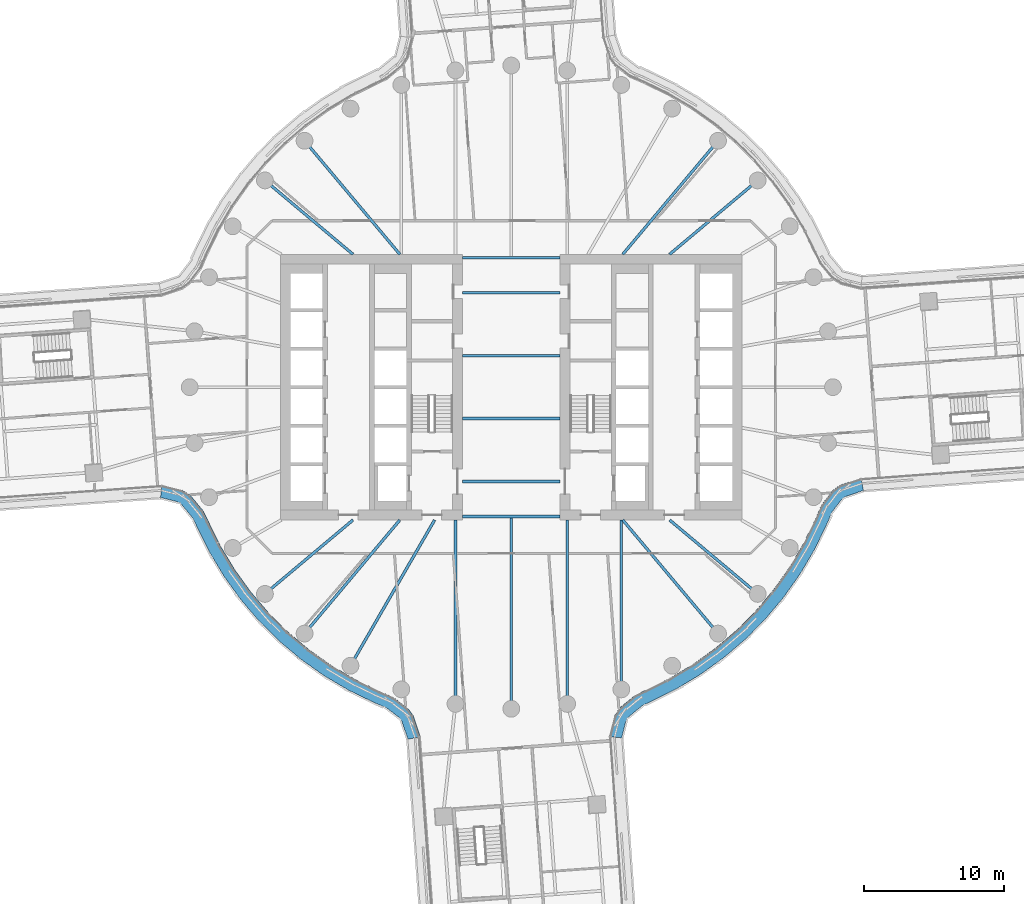
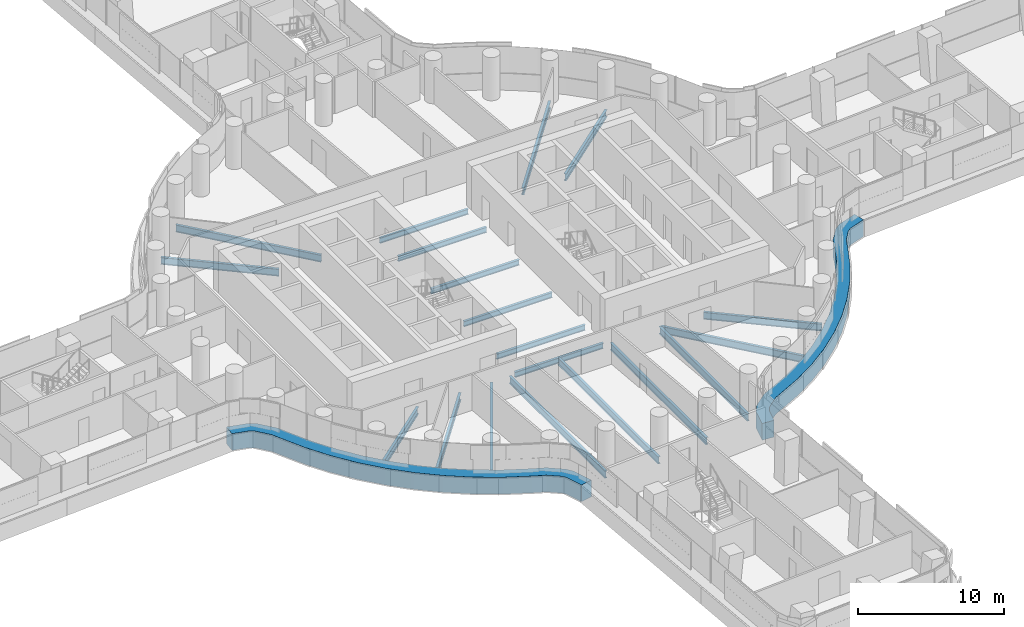
# One storey, part 8 of 31: 19 beams, 2 members, 2 elements without a shape of their own.
"""IFC4 building model written with IfcOpenShell, lengths in metres."""

from ifc_helpers import new_model, si_unit, direction, frame, origin, origin_2d, place, context, subcontext, project, spatial, polyline, i_section, outline, extrude, material, layer, layer_set, material_profile, profile_set, type_object, element, aggregate, save


model = new_model("IFC4")

# Units and contexts
model_context = context("Model", 3, precision=1e-05, world=origin(), true_north=direction((0.0, 1.0)))
body_context = subcontext(model_context, "Body", "Model", "MODEL_VIEW")
ifc_project = project(units=[si_unit("LENGTHUNIT", "METRE"), si_unit("AREAUNIT", "SQUARE_METRE"), si_unit("VOLUMEUNIT", "CUBIC_METRE"), si_unit("PLANEANGLEUNIT", "RADIAN"), si_unit("MASSUNIT", "GRAM", prefix="KILO")], contexts=[model_context])

# Site, building, storey
site_placement = place(None, origin())
site = spatial("IfcSite", under=ifc_project, at=site_placement, CompositionType="ELEMENT")
building_placement = place(site_placement, origin())
building = spatial("IfcBuilding", under=site, at=building_placement, Name="Tamarind Cross Interchange Tower", CompositionType="ELEMENT")
storey_placement = place(building_placement, frame((0.0, 0.0, 49.0)))
storey = spatial("IfcBuildingStorey", under=building, at=storey_placement, Name="L10", CompositionType="ELEMENT", Elevation=49.0)

# Beams
ifc_material_1 = material(Name="Steel Q355B", Category="steel")
ifc_material_profile_1 = material_profile(ifc_material_1, i_section(OverallWidth=0.198974609375, OverallDepth=0.446044921875, WebThickness=0.008056640625, FlangeThickness=0.011962890625, FilletRadius=0.012939453125, at=origin_2d()), Name="HN 446x199x8x12")
ifc_profile_set_1 = profile_set([ifc_material_profile_1], Name="Steel Q355B")
beam_type_1 = type_object("IfcBeamType", Name="Composite beam HN 446x199x8x12 Q355B", PredefinedType="BEAM", material=ifc_profile_set_1)
for number, where, z_axis, x_axis, name in (
    (1, (-3.5, -2.25, -0.363037109375), (1.0, 0.0, 0.0), (0.0, 1.0, 0.0), "Beam G-2.25"),
    (2, (-3.5, -6.75, -0.363037109375), (1.0, 0.0, 0.0), (0.0, 1.0, 0.0), "Beam G-6.75"),
    (3, (-3.5, -9.25, -0.363037109375), (1.0, 0.0, 0.0), (0.0, 1.0, 0.0), "Beam G-9.25"),
    (4, (-3.5, 2.25, -0.363037109375), (1.0, 0.0, 0.0), (0.0, 1.0, 0.0), "Beam G2.25"),
    (5, (-3.5, 6.75, -0.363037109375), (1.0, 0.0, 0.0), (0.0, 1.0, 0.0), "Beam G6.75"),
    (6, (-3.5, 9.25, -0.363037109375), (1.0, 0.0, 0.0), (0.0, 1.0, 0.0), "Beam G9.25"),
):
    element("IfcBeam", number, at=place(storey_placement, frame(where, z_axis=z_axis, x_axis=x_axis)), inside=storey, type_object=beam_type_1, Name=name, PredefinedType="BEAM", context=body_context, shape_type="SweptSolid", body=[
        extrude(i_section(OverallWidth=0.198974609375, OverallDepth=0.446044921875, WebThickness=0.008056640625, FlangeThickness=0.011962890625, FilletRadius=0.012939453125, at=origin_2d()), origin(), (0.0, 0.0, 1.0), 7.0),
    ])
ifc_material_profile_2 = material_profile(ifc_material_1, i_section(OverallWidth=0.198974609375, OverallDepth=0.595947265625, WebThickness=0.010009765625, FlangeThickness=0.014892578125, FilletRadius=0.012939453125, at=origin_2d()), Name="HN 596x199x10x15")
ifc_profile_set_2 = profile_set([ifc_material_profile_2], Name="Steel Q355B")
beam_type_2 = type_object("IfcBeamType", Name="Composite beam HN 596x199x10x15 Q355B", PredefinedType="BEAM", material=ifc_profile_set_2)
beam_1_placement = place(storey_placement, frame((17.619140625, 14.7841796875, -0.43798828125), z_axis=(-0.766040580814, -0.642792212574, 0.0), x_axis=(0.642792212574, -0.766040580814, 0.0)))
element("IfcBeam", 7, at=beam_1_placement, inside=storey, type_object=beam_type_2, Name="Beam HH04", PredefinedType="BEAM", context=body_context, shape_type="SweptSolid", body=[
    extrude(i_section(OverallWidth=0.198974609375, OverallDepth=0.595947265625, WebThickness=0.010009765625, FlangeThickness=0.014892578125, FilletRadius=0.012939453125, at=origin_2d()), origin(), (0.0, 0.0, 1.0), 8.220703125),
])
for number, where, z_axis, x_axis, name in (
    (8, (14.7841796875, 17.619140625, -0.43798828125), (-0.642786293979, -0.766045547127, 0.0), (0.766045547127, -0.642786293979, 0.0), "Beam HH05"),
    (9, (-14.7841796875, 17.619140625, -0.43798828125), (0.642786293979, -0.766045547127, 0.0), (0.766045547127, 0.642786293979, 0.0), "Beam HH13"),
):
    element("IfcBeam", number, at=place(storey_placement, frame(where, z_axis=z_axis, x_axis=x_axis)), inside=storey, type_object=beam_type_2, Name=name, PredefinedType="BEAM", context=body_context, shape_type="SweptSolid", body=[
        extrude(i_section(OverallWidth=0.198974609375, OverallDepth=0.595947265625, WebThickness=0.010009765625, FlangeThickness=0.014892578125, FilletRadius=0.012939453125, at=origin_2d()), origin(), (0.0, 0.0, 1.0), 10.598876953125),
    ])
for number, where, z_axis, x_axis, name in (
    (10, (-17.619140625, 14.7841796875, -0.43798828125), (0.766040580814, -0.642792212574, 0.0), (0.642792212574, 0.766040580814, 0.0), "Beam HH14"),
    (11, (-17.619140625, -14.7841796875, -0.43798828125), (0.766040580814, 0.642792212574, 0.0), (-0.642792212574, 0.766040580814, 0.0), "Beam HH22"),
):
    element("IfcBeam", number, at=place(storey_placement, frame(where, z_axis=z_axis, x_axis=x_axis)), inside=storey, type_object=beam_type_2, Name=name, PredefinedType="BEAM", context=body_context, shape_type="SweptSolid", body=[
        extrude(i_section(OverallWidth=0.198974609375, OverallDepth=0.595947265625, WebThickness=0.010009765625, FlangeThickness=0.014892578125, FilletRadius=0.012939453125, at=origin_2d()), origin(), (0.0, 0.0, 1.0), 8.220703125),
    ])
beam_2_placement = place(storey_placement, frame((-14.7841796875, -17.619140625, -0.43798828125), z_axis=(0.642786293979, 0.766045547127, 0.0), x_axis=(-0.766045547127, 0.642786293979, 0.0)))
element("IfcBeam", 12, at=beam_2_placement, inside=storey, type_object=beam_type_2, Name="Beam HH23", PredefinedType="BEAM", context=body_context, shape_type="SweptSolid", body=[
    extrude(i_section(OverallWidth=0.198974609375, OverallDepth=0.595947265625, WebThickness=0.010009765625, FlangeThickness=0.014892578125, FilletRadius=0.012939453125, at=origin_2d()), origin(), (0.0, 0.0, 1.0), 10.598876953125),
])
beam_3_placement = place(storey_placement, frame((-11.5, -19.918701171875, -0.43798828125), z_axis=(0.499993565836, 0.866029118519, 0.0), x_axis=(-0.866029118519, 0.499993565836, 0.0)))
element("IfcBeam", 13, at=beam_3_placement, inside=storey, type_object=beam_type_2, Name="Beam HH24", PredefinedType="BEAM", context=body_context, shape_type="SweptSolid", body=[
    extrude(i_section(OverallWidth=0.198974609375, OverallDepth=0.595947265625, WebThickness=0.010009765625, FlangeThickness=0.014892578125, FilletRadius=0.012939453125, at=origin_2d()), origin(), (0.0, 0.0, 1.0), 12.030517578125),
])
beam_4_placement = place(storey_placement, frame((-3.993896484375, -22.650634765625, -0.43798828125), z_axis=(0.0, 1.0, 0.0), x_axis=(-1.0, 0.0, 0.0)))
element("IfcBeam", 14, at=beam_4_placement, inside=storey, type_object=beam_type_2, Name="Beam HH26", PredefinedType="BEAM", context=body_context, shape_type="SweptSolid", body=[
    extrude(i_section(OverallWidth=0.198974609375, OverallDepth=0.595947265625, WebThickness=0.010009765625, FlangeThickness=0.014892578125, FilletRadius=0.012939453125, at=origin_2d()), origin(), (0.0, 0.0, 1.0), 13.150634765625),
])
beam_5_placement = place(storey_placement, frame((0.0, -23.0, -0.43798828125), z_axis=(0.0, 1.0, 0.0), x_axis=(-1.0, 0.0, 0.0)))
element("IfcBeam", 15, at=beam_5_placement, inside=storey, type_object=beam_type_2, Name="Beam HH27", PredefinedType="BEAM", context=body_context, shape_type="SweptSolid", body=[
    extrude(i_section(OverallWidth=0.198974609375, OverallDepth=0.595947265625, WebThickness=0.010009765625, FlangeThickness=0.014892578125, FilletRadius=0.012939453125, at=origin_2d()), origin(), (0.0, 0.0, 1.0), 13.75),
])
beam_6_placement = place(storey_placement, frame((3.993896484375, -22.650634765625, -0.43798828125), z_axis=(0.0, 1.0, 0.0), x_axis=(-1.0, 0.0, 0.0)))
element("IfcBeam", 16, at=beam_6_placement, inside=storey, type_object=beam_type_2, Name="Beam HH28", PredefinedType="BEAM", context=body_context, shape_type="SweptSolid", body=[
    extrude(i_section(OverallWidth=0.198974609375, OverallDepth=0.595947265625, WebThickness=0.010009765625, FlangeThickness=0.014892578125, FilletRadius=0.012939453125, at=origin_2d()), origin(), (0.0, 0.0, 1.0), 13.150634765625),
])
beam_7_placement = place(storey_placement, frame((7.866455078125, -21.613037109375, -0.43798828125), z_axis=(0.0, 1.0, 0.0), x_axis=(-1.0, 0.0, 0.0)))
element("IfcBeam", 17, at=beam_7_placement, inside=storey, type_object=beam_type_2, Name="Beam HH29", PredefinedType="BEAM", context=body_context, shape_type="SweptSolid", body=[
    extrude(i_section(OverallWidth=0.198974609375, OverallDepth=0.595947265625, WebThickness=0.010009765625, FlangeThickness=0.014892578125, FilletRadius=0.012939453125, at=origin_2d()), origin(), (0.0, 0.0, 1.0), 12.113037109375),
])
beam_8_placement = place(storey_placement, frame((14.7841796875, -17.619140625, -0.43798828125), z_axis=(-0.642786293979, 0.766045547127, 0.0), x_axis=(-0.766045547127, -0.642786293979, 0.0)))
element("IfcBeam", 18, at=beam_8_placement, inside=storey, type_object=beam_type_2, Name="Beam HH31", PredefinedType="BEAM", context=body_context, shape_type="SweptSolid", body=[
    extrude(i_section(OverallWidth=0.198974609375, OverallDepth=0.595947265625, WebThickness=0.010009765625, FlangeThickness=0.014892578125, FilletRadius=0.012939453125, at=origin_2d()), origin(), (0.0, 0.0, 1.0), 10.598876953125),
])
beam_9_placement = place(storey_placement, frame((17.619140625, -14.7841796875, -0.43798828125), z_axis=(-0.766040580814, 0.642792212574, 0.0), x_axis=(-0.642792212574, -0.766040580814, 0.0)))
element("IfcBeam", 19, at=beam_9_placement, inside=storey, type_object=beam_type_2, Name="Beam HH32", PredefinedType="BEAM", context=body_context, shape_type="SweptSolid", body=[
    extrude(i_section(OverallWidth=0.198974609375, OverallDepth=0.595947265625, WebThickness=0.010009765625, FlangeThickness=0.014892578125, FilletRadius=0.012939453125, at=origin_2d()), origin(), (0.0, 0.0, 1.0), 8.220703125),
])

# Curtain wall, member
ifc_material_2 = material(Name="Aluminium 6063-T6", Category="aluminium")
ifc_layer = layer(ifc_material_2, 0.159912109375)
ifc_layer_set = layer_set([ifc_layer], Name="Aluminium 6063-T6")
curtain_wall_type = type_object("IfcCurtainWallType", Name="Office curtain wall, 9.0 m bays", PredefinedType="NOTDEFINED", material=ifc_layer_set)
curtain_wall_1_placement = place(storey_placement, origin())
curtain_wall_1 = element("IfcCurtainWall", 20, at=curtain_wall_1_placement, inside=storey, type_object=curtain_wall_type, Name="CWS-L10-06", PredefinedType="NOTDEFINED")
ifc_material_3 = material(Name="Aluminium and insulated spandrel panel", Category="aluminium")
member_type = type_object("IfcMemberType", Name="Floor-edge blade transom", PredefinedType="USERDEFINED", material=ifc_material_3)
member_1_placement = place(storey_placement, origin())
member_1 = element("IfcMember", 21, at=member_1_placement, type_object=member_type, Name="CWT-L10-06", ObjectType="TRANSOM", PredefinedType="USERDEFINED", context=body_context, shape_type="SweptSolid", body=[
    extrude(outline(polyline([(-25.00146484375, -6.9873046875), (-23.554443359375, -7.348876953125), (-22.9580078125, -7.725341796875), (-22.015625, -8.8671875), (-21.663330078125, -9.602294921875), (-20.791015625, -11.367431640625), (-19.78125, -13.045654296875), (-18.636474609375, -14.634521484375), (-17.3642578125, -16.12353515625), (-15.973388671875, -17.50244140625), (-14.4736328125, -18.76171875), (-12.874755859375, -19.892822265625), (-11.188232421875, -20.88818359375), (-9.419189453125, -21.743408203125), (-8.441650390625, -22.168212890625), (-7.392578125, -22.971435546875), (-7.016357421875, -23.48095703125), (-6.498779296875, -24.999267578125), (-7.387939453125, -25.180419921875), (-7.8232421875, -23.9033203125), (-8.041015625, -23.608642578125), (-8.9013671875, -22.94970703125), (-9.794677734375, -22.5615234375), (-11.613525390625, -21.68212890625), (-13.3642578125, -20.64892578125), (-15.023681640625, -19.474853515625), (-16.580810546875, -18.167724609375), (-18.0244140625, -16.736572265625), (-19.344970703125, -15.19091796875), (-20.533203125, -13.54150390625), (-21.581298828125, -11.799560546875), (-22.47265625, -9.99609375), (-22.77978515625, -9.355224609375), (-23.560302734375, -8.409423828125), (-23.91259765625, -8.18701171875), (-25.080810546875, -7.89501953125), (-25.00146484375, -6.9873046875)])), origin(), (0.0, 0.0, 1.0), 1.39990234375),
])
aggregate(curtain_wall_1, [member_1])

curtain_wall_2_placement = place(storey_placement, origin())
curtain_wall_2 = element("IfcCurtainWall", 22, at=curtain_wall_2_placement, inside=storey, type_object=curtain_wall_type, Name="CWS-L10-10", PredefinedType="NOTDEFINED")
member_2_placement = place(storey_placement, origin())
member_2 = element("IfcMember", 23, at=member_2_placement, type_object=member_type, Name="CWT-L10-10", ObjectType="TRANSOM", PredefinedType="USERDEFINED", context=body_context, shape_type="SweptSolid", body=[
    extrude(outline(polyline([(6.9873046875, -25.00146484375), (7.348876953125, -23.554443359375), (7.725341796875, -22.9580078125), (8.8671875, -22.015625), (9.602294921875, -21.663330078125), (11.367431640625, -20.791015625), (13.045654296875, -19.78125), (14.634521484375, -18.636474609375), (16.12353515625, -17.3642578125), (17.50244140625, -15.973388671875), (18.76171875, -14.4736328125), (19.892822265625, -12.874755859375), (20.88818359375, -11.188232421875), (21.743408203125, -9.419189453125), (22.168212890625, -8.441650390625), (22.971435546875, -7.392578125), (23.48095703125, -7.016357421875), (24.999267578125, -6.498779296875), (25.180419921875, -7.387939453125), (23.9033203125, -7.8232421875), (23.608642578125, -8.041015625), (22.94970703125, -8.9013671875), (22.5615234375, -9.794677734375), (21.68212890625, -11.613525390625), (20.64892578125, -13.3642578125), (19.474853515625, -15.023681640625), (18.167724609375, -16.580810546875), (16.736572265625, -18.0244140625), (15.19091796875, -19.344970703125), (13.54150390625, -20.533203125), (11.799560546875, -21.581298828125), (9.99609375, -22.47265625), (9.355224609375, -22.77978515625), (8.409423828125, -23.560302734375), (8.18701171875, -23.91259765625), (7.89501953125, -25.080810546875), (6.9873046875, -25.00146484375)])), origin(), (0.0, 0.0, 1.0), 1.39990234375),
])
aggregate(curtain_wall_2, [member_2])

save(model, "model.ifc")
